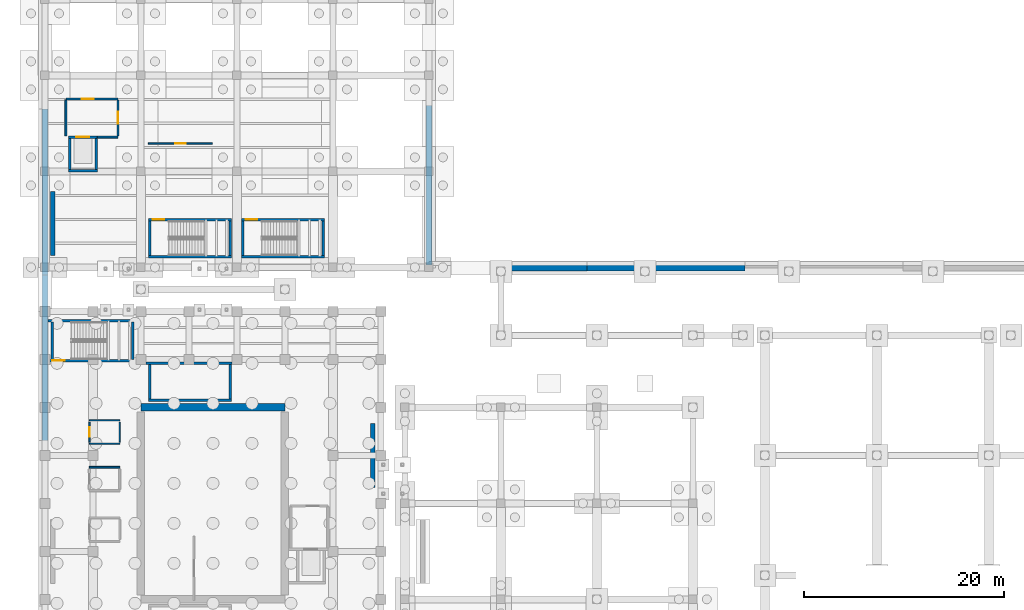
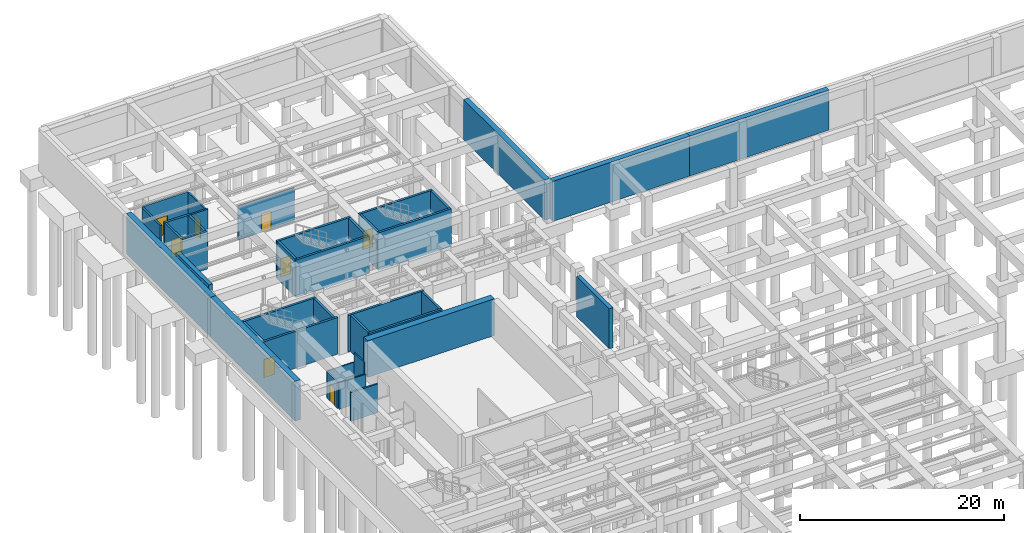
# One storey, part 38 of 56: 38 walls, 8 doors, 8 openings.
"""IFC4 building model written with IfcOpenShell, lengths in metres."""

from ifc_helpers import new_model, si_unit, direction, frame, frame_2d, origin, place, context, subcontext, project, spatial, rectangle, extrude, material, layer, layer_set, type_object, element, fill, save


model = new_model("IFC4")

# Units and contexts
model_context = context("Model", 3, precision=1e-05, world=origin(), true_north=direction((0.0, 1.0)))
body_context = subcontext(model_context, "Body", "Model", "MODEL_VIEW")
ifc_project = project(units=[si_unit("LENGTHUNIT", "METRE"), si_unit("AREAUNIT", "SQUARE_METRE"), si_unit("VOLUMEUNIT", "CUBIC_METRE"), si_unit("PLANEANGLEUNIT", "RADIAN"), si_unit("MASSUNIT", "GRAM", prefix="KILO")], contexts=[model_context])

# Site, building, storey
site_placement = place(None, origin())
site = spatial("IfcSite", under=ifc_project, at=site_placement, CompositionType="ELEMENT")
building_placement = place(site_placement, origin())
building = spatial("IfcBuilding", under=site, at=building_placement, Name="Mavantir Sound Aquarium", CompositionType="ELEMENT")
storey_placement = place(building_placement, frame((0.0, 0.0, -9.60009765625)))
storey = spatial("IfcBuildingStorey", under=building, at=storey_placement, Name="B2", CompositionType="ELEMENT", Elevation=-9.60009765625)

# Wall, opening, door
ifc_material_1 = material(Name="Concrete C40/50", Category="concrete")
ifc_layer_1 = layer(ifc_material_1, 0.199951171875, Name="Concrete C40/50")
ifc_layer_set_1 = layer_set([ifc_layer_1], Name="Concrete C40/50")
wall_type_1 = type_object("IfcWallType", Name="IW-FFL-200", PredefinedType="PARTITIONING", material=ifc_layer_set_1)
wall_1_placement = place(storey_placement, frame((2.10009765625, 100.449951171875, 0.0), z_axis=(0.0, 0.0, 1.0), x_axis=(1.0, 0.0, 0.0)))
wall_1 = element("IfcWall", 1, at=wall_1_placement, inside=storey, type_object=wall_type_1, Name="B2 firefighting lift lobby LC2 wall N", PredefinedType="PARTITIONING", context=body_context, shape_type="SweptSolid", body=[
    extrude(rectangle(XDim=5.199951171875, YDim=0.199951171875, at=frame_2d((2.60009765625, 0.0))), origin(), (0.0, 0.0, 1.0), 4.214111328125),
])
opening_1_placement = place(wall_1_placement, frame((1.60009765625, 0.0, 0.0)))
opening_1 = element("IfcOpeningElement", 2, at=opening_1_placement, cuts=wall_1, Name="Opening FD-01", PredefinedType="OPENING", context=body_context, shape_type="SweptSolid", body=[
    extrude(rectangle(XDim=1.199951171875, YDim=2.199951171875, at=frame_2d((0.60009765625, 1.10009765625))), frame((0.0, 0.10986328125, 0.0), z_axis=(0.0, -1.0, 0.0), x_axis=(1.0, 0.0, 0.0)), (0.0, 0.0, 1.0), 0.219970703125),
])
ifc_material_2 = material(Name="Fire-Rated Steel Lobby Door Leaf", Category="steel")
door_type_1 = type_object("IfcDoorType", Name="DR-FFL-120", OperationType="NOTDEFINED", PredefinedType="DOOR", material=ifc_material_2)
door_1_placement = place(opening_1_placement, origin())
door_1 = element("IfcDoor", 3, at=door_1_placement, inside=storey, type_object=door_type_1, Name="B2 firefighting lobby LC2 accommodation door", OperationType="SINGLE_SWING_LEFT", OverallHeight=2.199951171875, OverallWidth=1.199951171875, PredefinedType="DOOR", context=body_context, shape_type="SweptSolid", body=[
    extrude(rectangle(XDim=1.199951171875, YDim=2.199951171875, at=frame_2d((0.60009765625, 1.10009765625))), frame((0.0, 0.02490234375, 0.0), z_axis=(0.0, -1.0, 0.0), x_axis=(1.0, 0.0, 0.0)), (0.0, 0.0, 1.0), 0.050048828125),
])
fill(opening_1, door_1)

# Wall
wall_2_placement = place(storey_placement, frame((2.10009765625, 96.75, 0.0), z_axis=(0.0, 0.0, 1.0), x_axis=(0.0, 1.0, 0.0)))
element("IfcWall", 4, at=wall_2_placement, inside=storey, type_object=wall_type_1, Name="B2 firefighting lift lobby LC2 wall W", PredefinedType="PARTITIONING", context=body_context, shape_type="SweptSolid", body=[
    extrude(rectangle(XDim=3.60009765625, YDim=0.199951171875, at=frame_2d((1.800048828125, 0.0))), origin(), (0.0, 0.0, 1.0), 4.156005859375),
])

# Wall, opening, door
wall_3_placement = place(storey_placement, frame((7.300048828125, 96.75, 0.0), z_axis=(0.0, 0.0, 1.0), x_axis=(0.0, 1.0, 0.0)))
wall_3 = element("IfcWall", 5, at=wall_3_placement, inside=storey, type_object=wall_type_1, Name="B2 firefighting lift lobby LC2 wall E", PredefinedType="PARTITIONING", context=body_context, shape_type="SweptSolid", body=[
    extrude(rectangle(XDim=3.60009765625, YDim=0.199951171875, at=frame_2d((1.800048828125, 0.0))), origin(), (0.0, 0.0, 1.0), 4.156005859375),
])
opening_2_placement = place(wall_3_placement, frame((1.199951171875, 0.0, 0.0)))
opening_2 = element("IfcOpeningElement", 6, at=opening_2_placement, cuts=wall_3, Name="Opening FD-01", PredefinedType="OPENING", context=body_context, shape_type="SweptSolid", body=[
    extrude(rectangle(XDim=1.199951171875, YDim=2.199951171875, at=frame_2d((0.60009765625, 1.10009765625))), frame((0.0, 0.10986328125, 0.0), z_axis=(0.0, -1.0, 0.0), x_axis=(1.0, 0.0, 0.0)), (0.0, 0.0, 1.0), 0.219970703125),
])
door_2_placement = place(opening_2_placement, origin())
door_2 = element("IfcDoor", 7, at=door_2_placement, inside=storey, type_object=door_type_1, Name="B2 firefighting lobby LC2 stair-access door", OperationType="SINGLE_SWING_RIGHT", OverallHeight=2.199951171875, OverallWidth=1.199951171875, PredefinedType="DOOR", context=body_context, shape_type="SweptSolid", body=[
    extrude(rectangle(XDim=1.199951171875, YDim=2.199951171875, at=frame_2d((0.60009765625, 1.10009765625))), frame((0.0, 0.02490234375, 0.0), z_axis=(0.0, -1.0, 0.0), x_axis=(1.0, 0.0, 0.0)), (0.0, 0.0, 1.0), 0.050048828125),
])
fill(opening_2, door_2)

# Walls
wall_4_placement = place(storey_placement, frame((5.25, 96.625, 0.0), z_axis=(0.0, 0.0, 1.0), x_axis=(1.0, 0.0, 0.0)))
element("IfcWall", 8, at=wall_4_placement, inside=storey, type_object=wall_type_1, Name="B2 firefighting lift lobby LC2 return SE", PredefinedType="PARTITIONING", context=body_context, shape_type="SweptSolid", body=[
    extrude(rectangle(XDim=2.050048828125, YDim=0.199951171875, at=frame_2d((1.02490234375, 0.0))), origin(), (0.0, 0.0, 1.0), 4.440185546875),
])
ifc_material_3 = material(Name="Acoustic Metal-Stud Gypsum Partition", Category="gypsum")
ifc_layer_2 = layer(ifc_material_3, 0.1298828125, Name="Acoustic Metal-Stud Gypsum Partition")
ifc_layer_set_2 = layer_set([ifc_layer_2], Name="Acoustic Metal-Stud Gypsum Partition")
wall_type_2 = type_object("IfcWallType", Name="IW-PART-130", PredefinedType="PARTITIONING", material=ifc_layer_set_2)
for number, where, z_axis, x_axis, name in (
    (9, (4.43994140625, 68.300048828125, 0.0), (0.0, 0.0, 1.0), (1.0, 0.0, 0.0), "B2 B2 Accessible WC partition N"),
    (10, (4.43994140625, 65.949951171875, 0.0), (0.0, 0.0, 1.0), (1.0, 0.0, 0.0), "B2 B2 Accessible WC partition S"),
):
    element("IfcWall", number, at=place(storey_placement, frame(where, z_axis=z_axis, x_axis=x_axis)), inside=storey, type_object=wall_type_2, Name=name, PredefinedType="PARTITIONING", context=body_context, shape_type="SweptSolid", body=[
        extrude(rectangle(XDim=3.0400390625, YDim=0.1298828125, at=frame_2d((1.52001953125, 0.0))), origin(), (0.0, 0.0, 1.0), 3.166015625),
    ])

# Wall, opening, door
wall_5_placement = place(storey_placement, frame((4.43994140625, 66.1298828125, 0.0), z_axis=(0.0, 0.0, 1.0), x_axis=(0.0, 1.0, 0.0)))
wall_5 = element("IfcWall", 11, at=wall_5_placement, inside=storey, type_object=wall_type_2, Name="B2 B2 Accessible WC partition W", PredefinedType="PARTITIONING", context=body_context, shape_type="SweptSolid", body=[
    extrude(rectangle(XDim=1.990234375, YDim=0.1298828125, at=frame_2d((0.9951171875, 0.0))), origin(), (0.0, 0.0, 1.0), 3.166015625),
])
opening_3_placement = place(wall_5_placement, frame((0.534912109375, 0.0, 0.0)))
opening_3 = element("IfcOpeningElement", 12, at=opening_3_placement, cuts=wall_5, Name="Opening ID-01", PredefinedType="OPENING", context=body_context, shape_type="SweptSolid", body=[
    extrude(rectangle(XDim=0.919921875, YDim=2.1201171875, at=frame_2d((0.4599609375, 1.06005859375))), frame((0.0, 0.074951171875, 0.0), z_axis=(0.0, -1.0, 0.0), x_axis=(1.0, 0.0, 0.0)), (0.0, 0.0, 1.0), 0.14990234375),
])
ifc_material_4 = material(Name="Solid-Core Marine Hardwood and Vision-Panel Door", Category="wood")
door_type_2 = type_object("IfcDoorType", Name="DR-INT-01", OperationType="NOTDEFINED", PredefinedType="DOOR", material=ifc_material_4)
door_3_placement = place(opening_3_placement, origin())
door_3 = element("IfcDoor", 13, at=door_3_placement, inside=storey, type_object=door_type_2, Name="B2 Accessible WC entrance door", OperationType="SINGLE_SWING_RIGHT", OverallHeight=2.1201171875, OverallWidth=0.919921875, PredefinedType="DOOR", context=body_context, shape_type="SweptSolid", body=[
    extrude(rectangle(XDim=0.919921875, YDim=2.1201171875, at=frame_2d((0.4599609375, 1.06005859375))), frame((0.0, 0.02490234375, 0.0), z_axis=(0.0, -1.0, 0.0), x_axis=(1.0, 0.0, 0.0)), (0.0, 0.0, 1.0), 0.050048828125),
])
fill(opening_3, door_3)

# Wall
wall_6_placement = place(storey_placement, frame((7.47998046875, 66.1298828125, 0.0), z_axis=(0.0, 0.0, 1.0), x_axis=(0.0, 1.0, 0.0)))
element("IfcWall", 14, at=wall_6_placement, inside=storey, type_object=wall_type_2, Name="B2 B2 Accessible WC partition E", PredefinedType="PARTITIONING", context=body_context, shape_type="SweptSolid", body=[
    extrude(rectangle(XDim=1.990234375, YDim=0.1298828125, at=frame_2d((0.9951171875, 0.0))), origin(), (0.0, 0.0, 1.0), 4.440185546875),
])

# Wall, opening, door
ifc_material_5 = material(Name="Moisture-Resistant Marine Gypsum Partition", Category="gypsum")
ifc_layer_3 = layer(ifc_material_5, 0.14990234375, Name="Moisture-Resistant Marine Gypsum Partition")
ifc_layer_set_3 = layer_set([ifc_layer_3], Name="Moisture-Resistant Marine Gypsum Partition")
wall_type_3 = type_object("IfcWallType", Name="IW-PART-150", PredefinedType="PARTITIONING", material=ifc_layer_set_3)
wall_7_placement = place(storey_placement, frame((10.35009765625, 96.0, 0.0), z_axis=(0.0, 0.0, 1.0), x_axis=(1.0, 0.0, 0.0)))
wall_7 = element("IfcWall", 15, at=wall_7_placement, inside=storey, type_object=wall_type_3, Name="B2 Marine Research Specimen Cold Archive Vault entry partition", PredefinedType="PARTITIONING", context=body_context, shape_type="SweptSolid", body=[
    extrude(rectangle(XDim=6.39990234375, YDim=0.14990234375, at=frame_2d((3.199951171875, 0.0))), origin(), (0.0, 0.0, 1.0), 4.049072265625),
])
opening_4_placement = place(wall_7_placement, frame((2.669921875, 0.0, 0.0)))
opening_4 = element("IfcOpeningElement", 16, at=opening_4_placement, cuts=wall_7, Name="Opening ID-05", PredefinedType="OPENING", context=body_context, shape_type="SweptSolid", body=[
    extrude(rectangle(XDim=1.06005859375, YDim=2.199951171875, at=frame_2d((0.530029296875, 1.10009765625))), frame((0.0, 0.0849609375, 0.0), z_axis=(0.0, -1.0, 0.0), x_axis=(1.0, 0.0, 0.0)), (0.0, 0.0, 1.0), 0.169921875),
])
door_type_3 = type_object("IfcDoorType", Name="DR-INT-05", OperationType="NOTDEFINED", PredefinedType="DOOR", material=ifc_material_4)
door_4_placement = place(opening_4_placement, origin())
door_4 = element("IfcDoor", 17, at=door_4_placement, inside=storey, type_object=door_type_3, Name="Marine Research Specimen Cold Archive Vault door", OperationType="SINGLE_SWING_LEFT", OverallHeight=2.199951171875, OverallWidth=1.06005859375, PredefinedType="DOOR", context=body_context, shape_type="SweptSolid", body=[
    extrude(rectangle(XDim=1.06005859375, YDim=2.199951171875, at=frame_2d((0.530029296875, 1.10009765625))), frame((0.0, 0.02490234375, 0.0), z_axis=(0.0, -1.0, 0.0), x_axis=(1.0, 0.0, 0.0)), (0.0, 0.0, 1.0), 0.050048828125),
])
fill(opening_4, door_4)

# Wall
ifc_layer_4 = layer(ifc_material_3, 0.179931640625, Name="Acoustic Metal-Stud Gypsum Partition")
ifc_layer_set_4 = layer_set([ifc_layer_4], Name="Acoustic Metal-Stud Gypsum Partition")
wall_type_4 = type_object("IfcWallType", Name="IW-PART-180", PredefinedType="PARTITIONING", material=ifc_layer_set_4)
wall_8_placement = place(storey_placement, frame((4.43994140625, 63.60009765625, 0.0), z_axis=(0.0, 0.0, 1.0), x_axis=(1.0, 0.0, 0.0)))
element("IfcWall", 18, at=wall_8_placement, inside=storey, type_object=wall_type_4, Name="B2 B2 Womens WC partition N", PredefinedType="PARTITIONING", context=body_context, shape_type="SweptSolid", body=[
    extrude(rectangle(XDim=3.0400390625, YDim=0.179931640625, at=frame_2d((1.52001953125, 0.0))), origin(), (0.0, 0.0, 1.0), 3.466064453125),
])

# Wall, opening, door
ifc_layer_5 = layer(ifc_material_1, 0.25, Name="Concrete C40/50")
ifc_layer_set_5 = layer_set([ifc_layer_5], Name="Concrete C40/50")
wall_type_5 = type_object("IfcWallType", Name="IW-SHAFT-250", PredefinedType="SHEAR", material=ifc_layer_set_5)
wall_9_placement = place(storey_placement, frame((0.300048828125, 74.27490234375, 0.0), z_axis=(0.0, 0.0, 1.0), x_axis=(1.0, 0.0, 0.0)))
wall_9 = element("IfcWall", 19, at=wall_9_placement, inside=storey, type_object=wall_type_5, Name="B2 stair ST2 shaft wall S", PredefinedType="SHEAR", context=body_context, shape_type="SweptSolid", body=[
    extrude(rectangle(XDim=8.800048828125, YDim=0.25, at=frame_2d((4.39990234375, 0.0))), origin(), (0.0, 0.0, 1.0), 4.400146484375),
])
opening_5_placement = place(wall_9_placement, frame((1.699951171875, 0.0, 0.0), z_axis=(0.0, 0.0, 1.0), x_axis=(-1.0, 0.0, 0.0)))
opening_5 = element("IfcOpeningElement", 20, at=opening_5_placement, cuts=wall_9, Name="Opening SD-01", PredefinedType="OPENING", context=body_context, shape_type="SweptSolid", body=[
    extrude(rectangle(XDim=1.25, YDim=2.199951171875, at=frame_2d((0.625, 1.10009765625))), frame((0.0, 0.135009765625, 0.0), z_axis=(0.0, -1.0, 0.0), x_axis=(1.0, 0.0, 0.0)), (0.0, 0.0, 1.0), 0.27001953125),
])
ifc_material_6 = material(Name="Fire-Rated Steel Acoustic Door Leaf", Category="steel")
door_type_4 = type_object("IfcDoorType", Name="DR-ST-125", OperationType="NOTDEFINED", PredefinedType="DOOR", material=ifc_material_6)
door_5_placement = place(opening_5_placement, origin())
door_5 = element("IfcDoor", 21, at=door_5_placement, inside=storey, type_object=door_type_4, Name="B2 protected exit stair ST2 door", OperationType="SINGLE_SWING_LEFT", OverallHeight=2.199951171875, OverallWidth=1.25, PredefinedType="DOOR", context=body_context, shape_type="SweptSolid", body=[
    extrude(rectangle(XDim=1.25, YDim=2.199951171875, at=frame_2d((0.625, 1.10009765625))), frame((0.0, 0.02490234375, 0.0), z_axis=(0.0, -1.0, 0.0), x_axis=(1.0, 0.0, 0.0)), (0.0, 0.0, 1.0), 0.050048828125),
])
fill(opening_5, door_5)

# Walls
wall_10_placement = place(storey_placement, frame((8.89990234375, 78.27490234375, 0.0), z_axis=(0.0, 0.0, 1.0), x_axis=(-1.0, 0.0, 0.0)))
element("IfcWall", 22, at=wall_10_placement, inside=storey, type_object=wall_type_5, Name="B2 stair ST2 shaft wall N", PredefinedType="SHEAR", context=body_context, shape_type="SweptSolid", body=[
    extrude(rectangle(XDim=8.599853515625, YDim=0.25, at=frame_2d((4.2998046875, 0.0))), origin(), (0.0, 0.0, 1.0), 4.400146484375),
])
for number, where, z_axis, x_axis, name in (
    (23, (0.72509765625, 78.14990234375, 0.0), (0.0, 0.0, 1.0), (0.0, -1.0, 0.0), "B2 stair ST2 shaft wall W"),
    (24, (8.77490234375, 74.39990234375, 0.0), (0.0, 0.0, 1.0), (0.0, 1.0, 0.0), "B2 stair ST2 shaft wall E"),
):
    element("IfcWall", number, at=place(storey_placement, frame(where, z_axis=z_axis, x_axis=x_axis)), inside=storey, type_object=wall_type_5, Name=name, PredefinedType="SHEAR", context=body_context, shape_type="SweptSolid", body=[
        extrude(rectangle(XDim=3.75, YDim=0.25, at=frame_2d((1.875, 0.0))), origin(), (0.0, 0.0, 1.0), 4.400146484375),
    ])
wall_11_placement = place(storey_placement, frame((10.35009765625, 70.324951171875, 0.0), z_axis=(0.0, 0.0, 1.0), x_axis=(1.0, 0.0, 0.0)))
element("IfcWall", 25, at=wall_11_placement, inside=storey, type_object=wall_type_5, Name="B2 stair ST10 shaft wall S", PredefinedType="SHEAR", context=body_context, shape_type="SweptSolid", body=[
    extrude(rectangle(XDim=8.2998046875, YDim=0.25, at=frame_2d((4.14990234375, 0.0))), origin(), (0.0, 0.0, 1.0), 4.400146484375),
])
wall_12_placement = place(storey_placement, frame((18.699951171875, 74.02490234375, 0.0), z_axis=(0.0, 0.0, 1.0), x_axis=(-1.0, 0.0, 0.0)))
element("IfcWall", 26, at=wall_12_placement, inside=storey, type_object=wall_type_5, Name="B2 stair ST10 shaft wall N", PredefinedType="SHEAR", context=body_context, shape_type="SweptSolid", body=[
    extrude(rectangle(XDim=8.599853515625, YDim=0.25, at=frame_2d((4.2998046875, 0.0))), origin(), (0.0, 0.0, 1.0), 4.400146484375),
])
for number, where, z_axis, x_axis, name in (
    (27, (10.47509765625, 73.89990234375, 0.0), (0.0, 0.0, 1.0), (0.0, -1.0, 0.0), "B2 stair ST10 shaft wall W"),
    (28, (18.52490234375, 70.449951171875, 0.0), (0.0, 0.0, 1.0), (0.0, 1.0, 0.0), "B2 stair ST10 shaft wall E"),
):
    element("IfcWall", number, at=place(storey_placement, frame(where, z_axis=z_axis, x_axis=x_axis)), inside=storey, type_object=wall_type_5, Name=name, PredefinedType="SHEAR", context=body_context, shape_type="SweptSolid", body=[
        extrude(rectangle(XDim=3.449951171875, YDim=0.25, at=frame_2d((1.72509765625, 0.0))), origin(), (0.0, 0.0, 1.0), 4.400146484375),
    ])
wall_13_placement = place(storey_placement, frame((10.35009765625, 84.675048828125, 0.0), z_axis=(0.0, 0.0, 1.0), x_axis=(1.0, 0.0, 0.0)))
element("IfcWall", 29, at=wall_13_placement, inside=storey, type_object=wall_type_5, Name="B2 stair ST5 shaft wall S", PredefinedType="SHEAR", context=body_context, shape_type="SweptSolid", body=[
    extrude(rectangle(XDim=8.2998046875, YDim=0.25, at=frame_2d((4.14990234375, 0.0))), origin(), (0.0, 0.0, 1.0), 4.5),
])

# Wall, opening, door
wall_14_placement = place(storey_placement, frame((18.64990234375, 88.375, 0.0), z_axis=(0.0, 0.0, 1.0), x_axis=(-1.0, 0.0, 0.0)))
wall_14 = element("IfcWall", 30, at=wall_14_placement, inside=storey, type_object=wall_type_5, Name="B2 stair ST5 shaft wall N", PredefinedType="SHEAR", context=body_context, shape_type="SweptSolid", body=[
    extrude(rectangle(XDim=8.2998046875, YDim=0.25, at=frame_2d((4.14990234375, 0.0))), origin(), (0.0, 0.0, 1.0), 4.5),
])
opening_6_placement = place(wall_14_placement, frame((7.849853515625, 0.0, 0.0), z_axis=(0.0, 0.0, 1.0), x_axis=(-1.0, 0.0, 0.0)))
opening_6 = element("IfcOpeningElement", 31, at=opening_6_placement, cuts=wall_14, Name="Opening SD-02", PredefinedType="OPENING", context=body_context, shape_type="SweptSolid", body=[
    extrude(rectangle(XDim=1.14990234375, YDim=2.199951171875, at=frame_2d((0.574951171875, 1.10009765625))), frame((0.0, 0.135009765625, 0.0), z_axis=(0.0, -1.0, 0.0), x_axis=(1.0, 0.0, 0.0)), (0.0, 0.0, 1.0), 0.27001953125),
])
door_type_5 = type_object("IfcDoorType", Name="DR-ST-115", OperationType="NOTDEFINED", PredefinedType="DOOR", material=ifc_material_6)
door_6_placement = place(opening_6_placement, origin())
door_6 = element("IfcDoor", 32, at=door_6_placement, inside=storey, type_object=door_type_5, Name="B2 protected exit stair ST5 door", OperationType="SINGLE_SWING_LEFT", OverallHeight=2.199951171875, OverallWidth=1.14990234375, PredefinedType="DOOR", context=body_context, shape_type="SweptSolid", body=[
    extrude(rectangle(XDim=1.14990234375, YDim=2.199951171875, at=frame_2d((0.574951171875, 1.10009765625))), frame((0.0, 0.02490234375, 0.0), z_axis=(0.0, -1.0, 0.0), x_axis=(1.0, 0.0, 0.0)), (0.0, 0.0, 1.0), 0.050048828125),
])
fill(opening_6, door_6)

# Walls
for number, where, z_axis, x_axis, name in (
    (33, (10.47509765625, 88.25, 0.0), (0.0, 0.0, 1.0), (0.0, -1.0, 0.0), "B2 stair ST5 shaft wall W"),
    (34, (18.52490234375, 84.800048828125, 0.0), (0.0, 0.0, 1.0), (0.0, 1.0, 0.0), "B2 stair ST5 shaft wall E"),
):
    element("IfcWall", number, at=place(storey_placement, frame(where, z_axis=z_axis, x_axis=x_axis)), inside=storey, type_object=wall_type_5, Name=name, PredefinedType="SHEAR", context=body_context, shape_type="SweptSolid", body=[
        extrude(rectangle(XDim=3.449951171875, YDim=0.25, at=frame_2d((1.72509765625, 0.0))), origin(), (0.0, 0.0, 1.0), 4.5),
    ])
wall_15_placement = place(storey_placement, frame((19.64990234375, 84.675048828125, 0.0), z_axis=(0.0, 0.0, 1.0), x_axis=(1.0, 0.0, 0.0)))
element("IfcWall", 35, at=wall_15_placement, inside=storey, type_object=wall_type_5, Name="B2 stair ST7 shaft wall S", PredefinedType="SHEAR", context=body_context, shape_type="SweptSolid", body=[
    extrude(rectangle(XDim=8.300048828125, YDim=0.25, at=frame_2d((4.14990234375, 0.0))), origin(), (0.0, 0.0, 1.0), 4.5),
])

# Wall, opening, door
wall_16_placement = place(storey_placement, frame((27.949951171875, 88.375, 0.0), z_axis=(0.0, 0.0, 1.0), x_axis=(-1.0, 0.0, 0.0)))
wall_16 = element("IfcWall", 36, at=wall_16_placement, inside=storey, type_object=wall_type_5, Name="B2 stair ST7 shaft wall N", PredefinedType="SHEAR", context=body_context, shape_type="SweptSolid", body=[
    extrude(rectangle(XDim=8.300048828125, YDim=0.25, at=frame_2d((4.14990234375, 0.0))), origin(), (0.0, 0.0, 1.0), 4.5),
])
opening_7_placement = place(wall_16_placement, frame((7.849853515625, 0.0, 0.0), z_axis=(0.0, 0.0, 1.0), x_axis=(-1.0, 0.0, 0.0)))
opening_7 = element("IfcOpeningElement", 37, at=opening_7_placement, cuts=wall_16, Name="Opening SD-02", PredefinedType="OPENING", context=body_context, shape_type="SweptSolid", body=[
    extrude(rectangle(XDim=1.14990234375, YDim=2.199951171875, at=frame_2d((0.574951171875, 1.10009765625))), frame((0.0, 0.135009765625, 0.0), z_axis=(0.0, -1.0, 0.0), x_axis=(1.0, 0.0, 0.0)), (0.0, 0.0, 1.0), 0.27001953125),
])
door_7_placement = place(opening_7_placement, origin())
door_7 = element("IfcDoor", 38, at=door_7_placement, inside=storey, type_object=door_type_5, Name="B2 protected exit stair ST7 door", OperationType="SINGLE_SWING_LEFT", OverallHeight=2.199951171875, OverallWidth=1.14990234375, PredefinedType="DOOR", context=body_context, shape_type="SweptSolid", body=[
    extrude(rectangle(XDim=1.14990234375, YDim=2.199951171875, at=frame_2d((0.574951171875, 1.10009765625))), frame((0.0, 0.02490234375, 0.0), z_axis=(0.0, -1.0, 0.0), x_axis=(1.0, 0.0, 0.0)), (0.0, 0.0, 1.0), 0.050048828125),
])
fill(opening_7, door_7)

# Walls
for number, where, z_axis, x_axis, name in (
    (39, (19.77490234375, 88.25, 0.0), (0.0, 0.0, 1.0), (0.0, -1.0, 0.0), "B2 stair ST7 shaft wall W"),
    (40, (27.824951171875, 84.800048828125, 0.0), (0.0, 0.0, 1.0), (0.0, 1.0, 0.0), "B2 stair ST7 shaft wall E"),
):
    element("IfcWall", number, at=place(storey_placement, frame(where, z_axis=z_axis, x_axis=x_axis)), inside=storey, type_object=wall_type_5, Name=name, PredefinedType="SHEAR", context=body_context, shape_type="SweptSolid", body=[
        extrude(rectangle(XDim=3.449951171875, YDim=0.25, at=frame_2d((1.72509765625, 0.0))), origin(), (0.0, 0.0, 1.0), 4.5),
    ])
wall_17_placement = place(storey_placement, frame((2.35009765625, 93.27490234375, 0.0), z_axis=(0.0, 0.0, 1.0), x_axis=(1.0, 0.0, 0.0)))
element("IfcWall", 41, at=wall_17_placement, inside=storey, type_object=wall_type_5, Name="B2 lift LC2 shaft wall S", PredefinedType="SHEAR", context=body_context, shape_type="SweptSolid", body=[
    extrude(rectangle(XDim=2.89990234375, YDim=0.25, at=frame_2d((1.449951171875, 0.0))), origin(), (0.0, 0.0, 1.0), 4.5),
])

# Wall, opening, door
wall_18_placement = place(storey_placement, frame((2.35009765625, 96.625, 0.0), z_axis=(0.0, 0.0, 1.0), x_axis=(1.0, 0.0, 0.0)))
wall_18 = element("IfcWall", 42, at=wall_18_placement, inside=storey, type_object=wall_type_5, Name="B2 lift LC2 shaft wall N", PredefinedType="SHEAR", context=body_context, shape_type="SweptSolid", body=[
    extrude(rectangle(XDim=2.89990234375, YDim=0.25, at=frame_2d((1.449951171875, 0.0))), origin(), (0.0, 0.0, 1.0), 4.5),
])
opening_8_placement = place(wall_18_placement, frame((0.800048828125, 0.0, 0.0)))
opening_8 = element("IfcOpeningElement", 43, at=opening_8_placement, cuts=wall_18, Name="Opening LD-01", PredefinedType="OPENING", context=body_context, shape_type="SweptSolid", body=[
    extrude(rectangle(XDim=1.300048828125, YDim=2.199951171875, at=frame_2d((0.64990234375, 1.10009765625))), frame((0.0, 0.135009765625, 0.0), z_axis=(0.0, -1.0, 0.0), x_axis=(1.0, 0.0, 0.0)), (0.0, 0.0, 1.0), 0.27001953125),
])
ifc_material_7 = material(Name="Stainless Steel 316 Sliding Lift Landing Door", Category="steel")
door_type_6 = type_object("IfcDoorType", Name="DR-LD-130", OperationType="NOTDEFINED", PredefinedType="DOOR", material=ifc_material_7)
door_8_placement = place(opening_8_placement, origin())
door_8 = element("IfcDoor", 44, at=door_8_placement, inside=storey, type_object=door_type_6, Name="Lift LC2 sliding landing door (B2)", OperationType="DOUBLE_DOOR_SLIDING", OverallHeight=2.199951171875, OverallWidth=1.300048828125, PredefinedType="DOOR", context=body_context, shape_type="SweptSolid", body=[
    extrude(rectangle(XDim=1.300048828125, YDim=2.199951171875, at=frame_2d((0.64990234375, 1.10009765625))), frame((0.0, 0.02490234375, 0.0), z_axis=(0.0, -1.0, 0.0), x_axis=(1.0, 0.0, 0.0)), (0.0, 0.0, 1.0), 0.050048828125),
])
fill(opening_8, door_8)

# Walls
for number, where, z_axis, x_axis, name in (
    (45, (2.47509765625, 93.39990234375, 0.0), (0.0, 0.0, 1.0), (0.0, 1.0, 0.0), "B2 lift LC2 shaft wall W"),
    (46, (5.125, 93.39990234375, 0.0), (0.0, 0.0, 1.0), (0.0, 1.0, 0.0), "B2 lift LC2 shaft wall E"),
):
    element("IfcWall", number, at=place(storey_placement, frame(where, z_axis=z_axis, x_axis=x_axis)), inside=storey, type_object=wall_type_5, Name=name, PredefinedType="SHEAR", context=body_context, shape_type="SweptSolid", body=[
        extrude(rectangle(XDim=3.10009765625, YDim=0.25, at=frame_2d((1.550048828125, 0.0))), origin(), (0.0, 0.0, 1.0), 4.5),
    ])
ifc_material_8 = material(Name="Concrete C45/55", Category="concrete")
ifc_layer_6 = layer(ifc_material_8, 0.60009765625, Name="Concrete C45/55")
ifc_layer_set_6 = layer_set([ifc_layer_6], Name="Concrete C45/55")
wall_type_6 = type_object("IfcWallType", Name="SW-RET-600", PredefinedType="USERDEFINED", material=ifc_layer_set_6)
wall_19_placement = place(storey_placement, frame((0.0, 66.285888671875, 0.0), z_axis=(0.0, 0.0, 1.0), x_axis=(0.0, 1.0, 0.0)))
element("IfcWall", 47, at=wall_19_placement, inside=storey, type_object=wall_type_6, Name="B2 perimeter plinth retaining wall 9", ObjectType="RETAINING WALL", PredefinedType="USERDEFINED", context=body_context, shape_type="SweptSolid", body=[
    extrude(rectangle(XDim=16.571044921875, YDim=0.60009765625, at=frame_2d((8.28564453125, 0.0))), origin(), (0.0, 0.0, 1.0), 4.800048828125),
])
wall_20_placement = place(storey_placement, frame((0.0, 82.85693359375, 0.0), z_axis=(0.0, 0.0, 1.0), x_axis=(0.0, 1.0, 0.0)))
element("IfcWall", 48, at=wall_20_placement, inside=storey, type_object=wall_type_6, Name="B2 perimeter plinth retaining wall 11", ObjectType="RETAINING WALL", PredefinedType="USERDEFINED", context=body_context, shape_type="SweptSolid", body=[
    extrude(rectangle(XDim=16.572021484375, YDim=0.60009765625, at=frame_2d((8.2861328125, 0.0))), origin(), (0.0, 0.0, 1.0), 4.800048828125),
])
wall_21_placement = place(storey_placement, frame((38.39990234375, 99.77490234375, 0.0), z_axis=(0.0, 0.0, 1.0), x_axis=(0.0, -1.0, 0.0)))
element("IfcWall", 49, at=wall_21_placement, inside=storey, type_object=wall_type_6, Name="B2 perimeter plinth retaining wall 21", ObjectType="RETAINING WALL", PredefinedType="USERDEFINED", context=body_context, shape_type="SweptSolid", body=[
    extrude(rectangle(XDim=15.94482421875, YDim=0.60009765625, at=frame_2d((7.972412109375, 0.0))), origin(), (0.0, 0.0, 1.0), 4.800048828125),
])
wall_22_placement = place(storey_placement, frame((38.679931640625, 83.550048828125, 0.0), z_axis=(0.0, 0.0, 1.0), x_axis=(1.0, 0.0, 0.0)))
element("IfcWall", 50, at=wall_22_placement, inside=storey, type_object=wall_type_6, Name="B2 perimeter plinth retaining wall 23", ObjectType="RETAINING WALL", PredefinedType="USERDEFINED", context=body_context, shape_type="SweptSolid", body=[
    extrude(rectangle(XDim=15.52001953125, YDim=0.60009765625, at=frame_2d((7.760009765625, 0.0))), origin(), (0.0, 0.0, 1.0), 4.800048828125),
])
wall_23_placement = place(storey_placement, frame((54.199951171875, 83.550048828125, 0.0), z_axis=(0.0, 0.0, 1.0), x_axis=(1.0, 0.0, 0.0)))
element("IfcWall", 51, at=wall_23_placement, inside=storey, type_object=wall_type_6, Name="B2 perimeter plinth retaining wall 25", ObjectType="RETAINING WALL", PredefinedType="USERDEFINED", context=body_context, shape_type="SweptSolid", body=[
    extrude(rectangle(XDim=15.800048828125, YDim=0.60009765625, at=frame_2d((7.89990234375, 0.0))), origin(), (0.0, 0.0, 1.0), 4.800048828125),
])
ifc_layer_7 = layer(ifc_material_1, 0.449951171875, Name="Concrete C40/50")
ifc_layer_set_7 = layer_set([ifc_layer_7], Name="Concrete C40/50")
wall_type_7 = type_object("IfcWallType", Name="SW-SHR-450", PredefinedType="SHEAR", material=ifc_layer_set_7)
for number, where, z_axis, x_axis, name in (
    (52, (32.800048828125, 61.60009765625, 0.0), (0.0, 0.0, 1.0), (0.0, 1.0, 0.0), "B2 special RC shear wall 7 (V1)"),
    (53, (0.800048828125, 84.800048828125, 0.0), (0.0, 0.0, 1.0), (0.0, 1.0, 0.0), "B2 special RC shear wall 30 (V5)"),
):
    element("IfcWall", number, at=place(storey_placement, frame(where, z_axis=z_axis, x_axis=x_axis)), inside=storey, type_object=wall_type_7, Name=name, PredefinedType="SHEAR", context=body_context, shape_type="SweptSolid", body=[
        extrude(rectangle(XDim=6.39990234375, YDim=0.449951171875, at=frame_2d((3.199951171875, 0.0))), origin(), (0.0, 0.0, 1.0), 4.800048828125),
    ])
ifc_layer_8 = layer(ifc_material_8, 0.75, Name="Concrete C45/55")
ifc_layer_set_8 = layer_set([ifc_layer_8], Name="Concrete C45/55")
wall_type_8 = type_object("IfcWallType", Name="SW-TANK-750", PredefinedType="SOLIDWALL", material=ifc_layer_set_8)
wall_24_placement = place(storey_placement, frame((24.0, 69.60009765625, 0.0), z_axis=(0.0, 0.0, 1.0), x_axis=(-1.0, 0.0, 0.0)))
element("IfcWall", 54, at=wall_24_placement, inside=storey, type_object=wall_type_8, Name="B2 Pelagic Ocean Tank wall N", PredefinedType="SOLIDWALL", context=body_context, shape_type="SweptSolid", body=[
    extrude(rectangle(XDim=14.39990234375, YDim=0.75, at=frame_2d((7.199951171875, 0.0))), origin(), (0.0, 0.0, 1.0), 4.400146484375),
])

save(model, "model.ifc")
